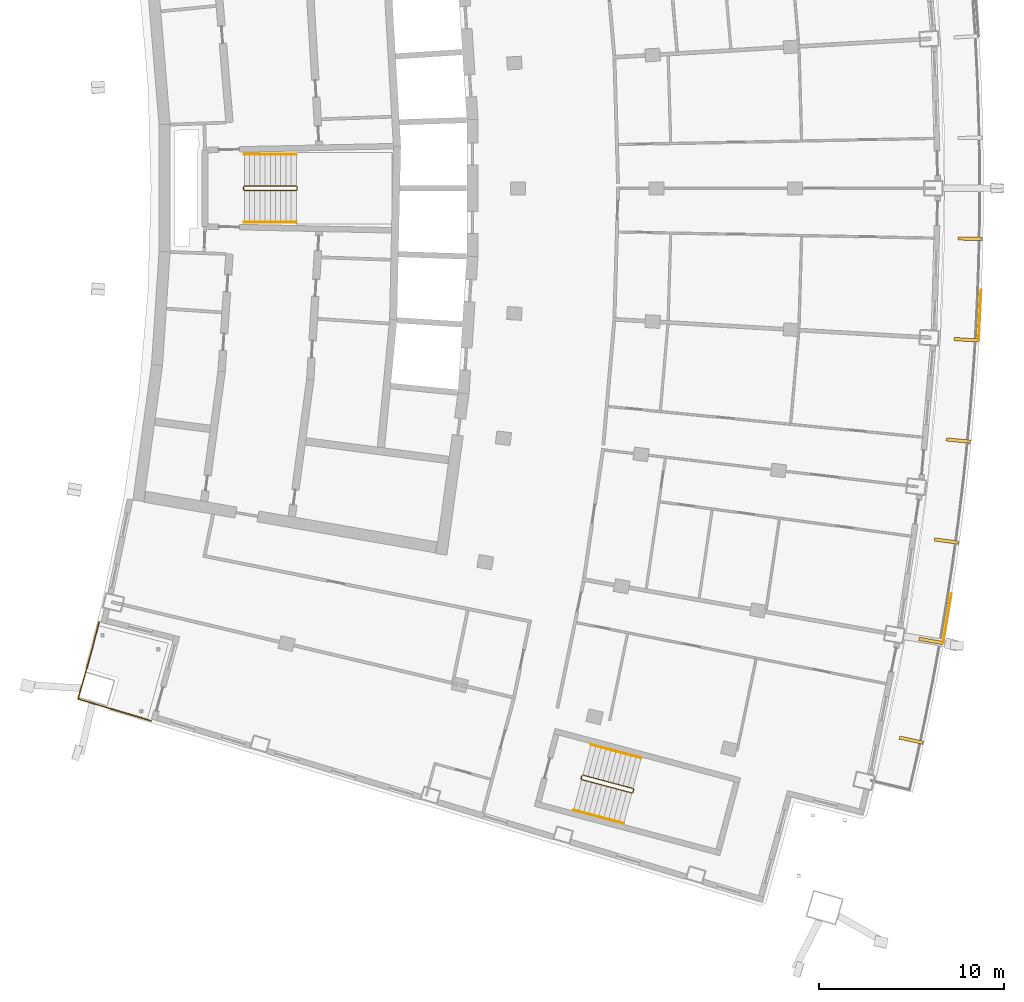
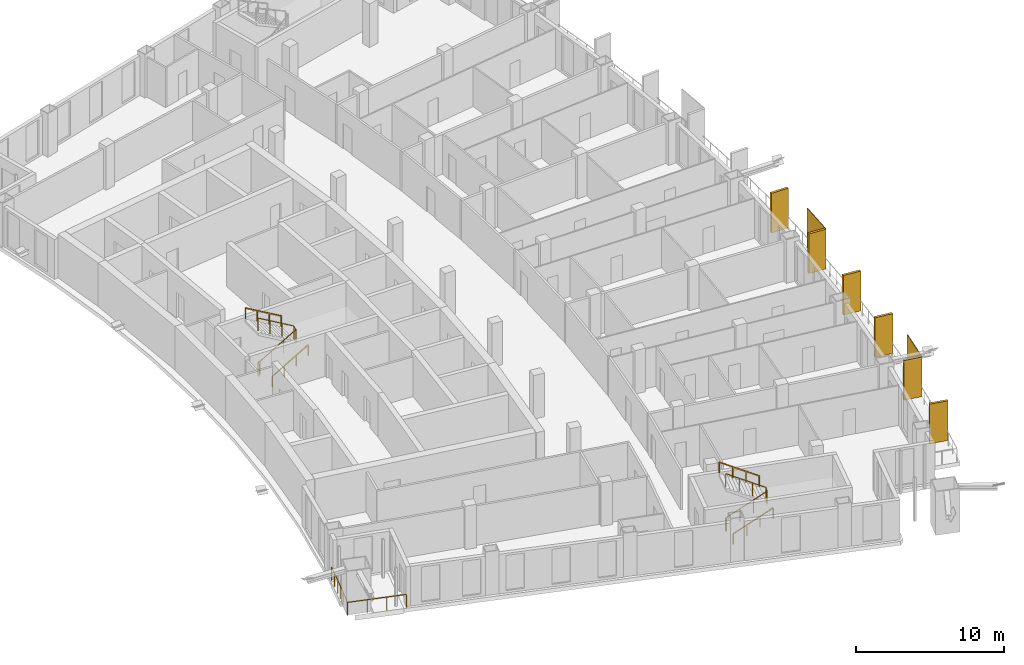
# One storey, part 19 of 21: 8 shading devices, 7 railings.
"""IFC4 building model written with IfcOpenShell, lengths in metres."""

from ifc_helpers import new_model, si_unit, direction, frame, origin, origin_with_axes, origin_2d, place, context, subcontext, project, spatial, rectangle, extrude, material, layer, layer_set, type_object, element, save


model = new_model("IFC4")

# Units and contexts
model_context = context("Model", 3, precision=1e-05, world=origin(), true_north=direction((0.0, 1.0)))
body_context = subcontext(model_context, "Body", "Model", "MODEL_VIEW")
ifc_project = project(units=[si_unit("LENGTHUNIT", "METRE"), si_unit("AREAUNIT", "SQUARE_METRE"), si_unit("VOLUMEUNIT", "CUBIC_METRE"), si_unit("PLANEANGLEUNIT", "RADIAN"), si_unit("MASSUNIT", "GRAM", prefix="KILO")], contexts=[model_context])

# Site, building, storey
site_placement = place(None, origin())
site = spatial("IfcSite", under=ifc_project, at=site_placement, CompositionType="ELEMENT")
building_placement = place(site_placement, origin())
building = spatial("IfcBuilding", under=site, at=building_placement, Name="Alderwake Tower", CompositionType="ELEMENT")
storey_placement = place(building_placement, frame((0.0, 0.0, 207.199951171875)))
storey = spatial("IfcBuildingStorey", under=building, at=storey_placement, Name="L51", CompositionType="ELEMENT", Elevation=207.199951171875)

# Railing
ifc_material_1 = material(Name="Stainless steel 316 rail and posts", Category="steel")
railing_type_1 = type_object("IfcRailingType", Name="Balcony guard 1100", PredefinedType="GUARDRAIL", material=ifc_material_1)
railing_1_placement = place(storey_placement, frame((13.210693359375, 37.612548828125, 0.0)))
element("IfcRailing", 1, at=railing_1_placement, inside=storey, type_object=railing_type_1, Name="Guard terrace RS", PredefinedType="GUARDRAIL", context=body_context, shape_type="SweptSolid", body=[
    extrude(rectangle(XDim=0.048095703125, YDim=0.048095703125, at=origin_2d()), frame((0.0, 0.0, 1.076171875), z_axis=(-0.251385381433, -0.967887075026, 0.0), x_axis=(0.967887075026, -0.251385381433, 0.0)), (0.0, 0.0, 1.0), 1.6015625),
    extrude(rectangle(XDim=0.048095703125, YDim=0.048095703125, at=origin_2d()), frame((-0.402587890625, -1.550048828125, 1.076171875), z_axis=(-0.266520638672, -0.963829211615, 0.0), x_axis=(0.963829211615, -0.266520638672, 0.0)), (0.0, 0.0, 1.0), 1.401611328125),
    extrude(rectangle(XDim=0.048095703125, YDim=0.048095703125, at=origin_2d()), frame((-0.776123046875, -2.90087890625, 1.076171875), z_axis=(-0.280093650878, -0.959972680204, 0.0), x_axis=(0.959972680204, -0.280093650878, 0.0)), (0.0, 0.0, 1.0), 1.30126953125),
    extrude(rectangle(XDim=0.048095703125, YDim=0.048095703125, at=origin_2d()), frame((-1.140625, -4.150146484375, 1.076171875), z_axis=(0.958066871889, -0.286544706789, 0.0), x_axis=(0.286544706789, 0.958066871889, 0.0)), (0.0, 0.0, 1.0), 4.099853515625),
    extrude(rectangle(XDim=0.0419921875, YDim=0.0419921875, at=origin_2d()), frame((0.0, 0.0, 0.0), z_axis=(0.0, 0.0, 1.0), x_axis=(-0.251385381433, -0.967887075026, 0.0)), (0.0, 0.0, 1.0), 1.052001953125),
    extrude(rectangle(XDim=0.0419921875, YDim=0.0419921875, at=origin_2d()), frame((-0.201171875, -0.77490234375, 0.0), z_axis=(0.0, 0.0, 1.0), x_axis=(-0.251385381433, -0.967887075026, 0.0)), (0.0, 0.0, 1.0), 1.052001953125),
    extrude(rectangle(XDim=0.0419921875, YDim=0.0419921875, at=origin_2d()), frame((-0.402587890625, -1.550048828125, 0.0), z_axis=(0.0, 0.0, 1.0), x_axis=(-0.266520638672, -0.963829211615, 0.0)), (0.0, 0.0, 1.0), 1.052001953125),
    extrude(rectangle(XDim=0.0419921875, YDim=0.0419921875, at=origin_2d()), frame((-0.58935546875, -2.2255859375, 0.0), z_axis=(0.0, 0.0, 1.0), x_axis=(-0.266520638672, -0.963829211615, 0.0)), (0.0, 0.0, 1.0), 1.052001953125),
    extrude(rectangle(XDim=0.0419921875, YDim=0.0419921875, at=origin_2d()), frame((-0.776123046875, -2.90087890625, 0.0), z_axis=(0.0, 0.0, 1.0), x_axis=(-0.280093650878, -0.959972680204, 0.0)), (0.0, 0.0, 1.0), 1.052001953125),
    extrude(rectangle(XDim=0.0419921875, YDim=0.0419921875, at=origin_2d()), frame((-1.140625, -4.150146484375, 0.0), z_axis=(0.0, 0.0, 1.0), x_axis=(0.958066871889, -0.286544706789, 0.0)), (0.0, 0.0, 1.0), 1.052001953125),
    extrude(rectangle(XDim=0.0419921875, YDim=0.0419921875, at=origin_2d()), frame((0.168701171875, -4.541748046875, 0.0), z_axis=(0.0, 0.0, 1.0), x_axis=(0.958066871889, -0.286544706789, 0.0)), (0.0, 0.0, 1.0), 1.052001953125),
    extrude(rectangle(XDim=0.0419921875, YDim=0.0419921875, at=origin_2d()), frame((1.47802734375, -4.933349609375, 0.0), z_axis=(0.0, 0.0, 1.0), x_axis=(0.958066871889, -0.286544706789, 0.0)), (0.0, 0.0, 1.0), 1.052001953125),
    extrude(rectangle(XDim=0.0419921875, YDim=0.0419921875, at=origin_2d()), frame((2.787353515625, -5.324951171875, 0.0), z_axis=(0.0, 0.0, 1.0), x_axis=(0.958066871889, -0.286544706789, 0.0)), (0.0, 0.0, 1.0), 1.052001953125),
])

# Shading devices
ifc_material_2 = material(Name="Bronze anodised aluminium", Category="aluminium")
ifc_layer_1 = layer(ifc_material_2, 0.179931640625)
ifc_layer_set_1 = layer_set([ifc_layer_1], Name="Facade fin 1300")
shading_device_type_1 = type_object("IfcShadingDeviceType", Name="Facade fin 1300", PredefinedType="USERDEFINED", material=ifc_layer_set_1)
for number, where, z_axis, x_axis, name in (
    (2, (57.0048828125, 31.239501953125, 0.0), (0.0, 0.0, 1.0), (0.977210363881, -0.212273184185, 0.0), "Fin"),
    (3, (58.05859375, 36.590087890625, 0.0), (0.0, 0.0, 1.0), (0.984726421654, -0.174108800747, 0.0), "Fin"),
    (4, (58.903564453125, 41.9775390625, 0.0), (0.0, 0.0, 1.0), (0.990752577235, -0.135680988728, 0.0), "Fin"),
    (5, (59.5380859375, 47.39404296875, 0.0), (0.0, 0.0, 1.0), (0.995279882363, -0.097046152751, 0.0), "Fin"),
    (6, (59.9619140625, 52.8310546875, 0.0), (0.0, 0.0, 1.0), (0.998301080988, -0.058266214038, 0.0), "Fin"),
    (7, (60.173583984375, 58.2802734375, 0.0), (0.0, 0.0, 1.0), (0.999811838809, -0.019398117887, 0.0), "Fin"),
):
    element("IfcShadingDevice", number, at=place(storey_placement, frame(where, z_axis=z_axis, x_axis=x_axis)), inside=storey, type_object=shading_device_type_1, Name=name, ObjectType="FIN", PredefinedType="USERDEFINED", context=body_context, shape_type="SweptSolid", body=[
        extrude(rectangle(XDim=1.300048828125, YDim=0.179931640625, at=origin_2d()), origin(), (0.0, 0.0, 1.0), 3.280029296875),
    ])
ifc_material_3 = material(Name="Perforated bronze anodised aluminium", Category="aluminium")
ifc_layer_2 = layer(ifc_material_3, 0.050048828125)
ifc_layer_set_2 = layer_set([ifc_layer_2], Name="Perforated screen panel")
shading_device_type_2 = type_object("IfcShadingDeviceType", Name="Perforated screen panel", PredefinedType="USERDEFINED", material=ifc_layer_set_2)
for number, where, z_axis, x_axis, name in (
    (8, (58.9482421875, 37.8203125, 0.0), (0.0, 0.0, 1.0), (0.986369013299, -0.164548380739, 0.0), "Screen panel"),
    (9, (60.701904296875, 54.156494140625, 0.0), (0.0, 0.0, 1.0), (0.998819231138, -0.048581308217, 0.0), "Screen panel"),
):
    element("IfcShadingDevice", number, at=place(storey_placement, frame(where, z_axis=z_axis, x_axis=x_axis)), inside=storey, type_object=shading_device_type_2, Name=name, ObjectType="SCREEN", PredefinedType="USERDEFINED", context=body_context, shape_type="SweptSolid", body=[
        extrude(rectangle(XDim=0.050048828125, YDim=2.73291015625, at=origin_2d()), origin(), (0.0, 0.0, 1.0), 3.280029296875),
    ])

# Railings
ifc_material_4 = material(Name="Stainless steel guard", Category="steel")
railing_type_2 = type_object("IfcRailingType", Name="Stair guard 1100", PredefinedType="GUARDRAIL", material=ifc_material_4)
railing_2_placement = place(storey_placement, frame((20.989990234375, 60.925048828125, 0.0)))
element("IfcRailing", 10, at=railing_2_placement, inside=storey, type_object=railing_type_2, Name="L51 ST-B stair guard 1", PredefinedType="GUARDRAIL", context=body_context, shape_type="SweptSolid", body=[
    extrude(rectangle(XDim=0.048095703125, YDim=0.048095703125, at=origin_2d()), frame((0.0, 0.0, 1.076171875), z_axis=(0.0, 1.0, 0.0), x_axis=(-1.0, 0.0, 0.0)), (0.0, 0.0, 1.0), 0.14990234375),
    extrude(rectangle(XDim=0.048095703125, YDim=0.048095703125, at=origin_2d()), frame((0.0, 0.14990234375, 1.076171875), z_axis=(0.190199549216, -0.759870394187, 0.621627795), x_axis=(0.970072785993, 0.242814311512, 0.0)), (0.0, 0.0, 1.0), 0.26318359375),
    extrude(rectangle(XDim=0.048095703125, YDim=0.048095703125, at=origin_2d()), frame((0.050048828125, -0.050048828125, 1.23974609375), z_axis=(0.863360870873, 0.0, 0.504586966384), x_axis=(0.0, 1.0, 0.0)), (0.0, 0.0, 1.0), 3.2431640625),
    extrude(rectangle(XDim=0.048095703125, YDim=0.048095703125, at=origin_2d()), frame((2.85009765625, -0.050048828125, 2.8759765625), z_axis=(0.705375805398, 0.708833529934, 0.0), x_axis=(-0.708833529934, 0.705375805398, 0.0)), (0.0, 0.0, 1.0), 0.070556640625),
    extrude(rectangle(XDim=0.048095703125, YDim=0.048095703125, at=origin_2d()), frame((2.89990234375, 0.0, 2.8759765625), z_axis=(0.0, 1.0, 0.0), x_axis=(-1.0, 0.0, 0.0)), (0.0, 0.0, 1.0), 0.14990234375),
    extrude(rectangle(XDim=0.048095703125, YDim=0.048095703125, at=origin_2d()), frame((2.89990234375, 0.14990234375, 2.8759765625), z_axis=(-0.279546231943, 0.280916556609, 0.91811752648), x_axis=(-0.708833529934, -0.705375805398, 0.0)), (0.0, 0.0, 1.0), 0.17822265625),
    extrude(rectangle(XDim=0.048095703125, YDim=0.048095703125, at=origin_2d()), frame((2.85009765625, 0.199951171875, 3.03955078125), z_axis=(-0.863360870873, 0.0, 0.504586966384), x_axis=(0.0, -1.0, 0.0)), (0.0, 0.0, 1.0), 3.2431640625),
    extrude(rectangle(XDim=0.0419921875, YDim=0.0419921875, at=origin_2d()), frame((0.0, 0.0, 0.0), z_axis=(0.0, 0.0, 1.0), x_axis=(0.0, 1.0, 0.0)), (0.0, 0.0, 1.0), 1.052001953125),
    extrude(rectangle(XDim=0.0419921875, YDim=0.0419921875, at=origin_2d()), frame((0.0, 0.14990234375, 0.0), z_axis=(0.0, 0.0, 1.0), x_axis=(0.242814311512, -0.970072785993, 0.0)), (0.0, 0.0, 1.0), 1.052001953125),
    extrude(rectangle(XDim=0.0419921875, YDim=0.0419921875, at=origin_2d()), frame((0.050048828125, -0.050048828125, 0.16357421875), z_axis=(0.0, 0.0, 1.0), x_axis=(1.0, 0.0, 0.0)), (0.0, 0.0, 1.0), 1.052001953125),
    extrude(rectangle(XDim=0.0419921875, YDim=0.0419921875, at=origin_2d()), frame((0.9833984375, -0.050048828125, 0.708984375), z_axis=(0.0, 0.0, 1.0), x_axis=(1.0, 0.0, 0.0)), (0.0, 0.0, 1.0), 1.052001953125),
    extrude(rectangle(XDim=0.0419921875, YDim=0.0419921875, at=origin_2d()), frame((1.916748046875, -0.050048828125, 1.254638671875), z_axis=(0.0, 0.0, 1.0), x_axis=(1.0, 0.0, 0.0)), (0.0, 0.0, 1.0), 1.052001953125),
    extrude(rectangle(XDim=0.0419921875, YDim=0.0419921875, at=origin_2d()), frame((2.85009765625, -0.050048828125, 1.800048828125), z_axis=(0.0, 0.0, 1.0), x_axis=(0.705375805398, 0.708833529934, 0.0)), (0.0, 0.0, 1.0), 1.052001953125),
    extrude(rectangle(XDim=0.0419921875, YDim=0.0419921875, at=origin_2d()), frame((2.89990234375, 0.0, 1.800048828125), z_axis=(0.0, 0.0, 1.0), x_axis=(0.0, 1.0, 0.0)), (0.0, 0.0, 1.0), 1.052001953125),
    extrude(rectangle(XDim=0.0419921875, YDim=0.0419921875, at=origin_2d()), frame((2.89990234375, 0.14990234375, 1.800048828125), z_axis=(0.0, 0.0, 1.0), x_axis=(-0.705375805398, 0.708833529934, 0.0)), (0.0, 0.0, 1.0), 1.052001953125),
    extrude(rectangle(XDim=0.0419921875, YDim=0.0419921875, at=origin_2d()), frame((2.85009765625, 0.199951171875, 1.963623046875), z_axis=(0.0, 0.0, 1.0), x_axis=(-1.0, 0.0, 0.0)), (0.0, 0.0, 1.0), 1.052001953125),
    extrude(rectangle(XDim=0.0419921875, YDim=0.0419921875, at=origin_2d()), frame((1.916748046875, 0.199951171875, 2.509033203125), z_axis=(0.0, 0.0, 1.0), x_axis=(-1.0, 0.0, 0.0)), (0.0, 0.0, 1.0), 1.052001953125),
    extrude(rectangle(XDim=0.0419921875, YDim=0.0419921875, at=origin_2d()), frame((0.9833984375, 0.199951171875, 3.0546875), z_axis=(0.0, 0.0, 1.0), x_axis=(-1.0, 0.0, 0.0)), (0.0, 0.0, 1.0), 1.052001953125),
    extrude(rectangle(XDim=0.0419921875, YDim=0.0419921875, at=origin_2d()), frame((0.050048828125, 0.199951171875, 3.60009765625), z_axis=(0.0, 0.0, 1.0), x_axis=(-1.0, 0.0, 0.0)), (0.0, 0.0, 1.0), 1.052001953125),
])
railing_3_placement = place(storey_placement, frame((39.1943359375, 29.17431640625, 0.0)))
element("IfcRailing", 11, at=railing_3_placement, inside=storey, type_object=railing_type_2, Name="L51 ST-C stair guard 1", PredefinedType="GUARDRAIL", context=body_context, shape_type="SweptSolid", body=[
    extrude(rectangle(XDim=0.048095703125, YDim=0.048095703125, at=origin_2d()), frame((0.0, 0.0, 1.076171875), z_axis=(0.257459803502, 0.966289009345, 0.0), x_axis=(-0.966289009345, 0.257459803502, 0.0)), (0.0, 0.0, 1.0), 0.14990234375),
    extrude(rectangle(XDim=0.048095703125, YDim=0.048095703125, at=origin_2d()), frame((0.03857421875, 0.144775390625, 1.076171875), z_axis=(-0.012062893862, -0.783160186125, 0.621702991355), x_axis=(0.999881397308, -0.015401016783, 0.0)), (0.0, 0.0, 1.0), 0.26318359375),
    extrude(rectangle(XDim=0.048095703125, YDim=0.048095703125, at=origin_2d()), frame((0.035400390625, -0.061279296875, 1.23974609375), z_axis=(0.834281824786, -0.222214197128, 0.504573768072), x_axis=(0.257380452725, 0.966310148221, 0.0)), (0.0, 0.0, 1.0), 3.2431640625),
    extrude(rectangle(XDim=0.048095703125, YDim=0.048095703125, at=origin_2d()), frame((2.7412109375, -0.781982421875, 2.8759765625), z_axis=(0.865031189262, 0.501718089772, 0.0), x_axis=(-0.501718089772, 0.865031189262, 0.0)), (0.0, 0.0, 1.0), 0.070556640625),
    extrude(rectangle(XDim=0.048095703125, YDim=0.048095703125, at=origin_2d()), frame((2.80224609375, -0.74658203125, 2.8759765625), z_axis=(0.257055032184, 0.966396766566, 0.0), x_axis=(-0.966396766566, 0.257055032184, 0.0)), (0.0, 0.0, 1.0), 0.150146484375),
    extrude(rectangle(XDim=0.048095703125, YDim=0.048095703125, at=origin_2d()), frame((2.8408203125, -0.6015625, 2.8759765625), z_axis=(-0.198625291617, 0.343827228937, 0.91778583023), x_axis=(-0.865898279276, -0.500220121494, 0.0)), (0.0, 0.0, 1.0), 0.17822265625),
    extrude(rectangle(XDim=0.048095703125, YDim=0.048095703125, at=origin_2d()), frame((2.805419921875, -0.540283203125, 3.03955078125), z_axis=(-0.834258940753, 0.22222815314, 0.504605457487), x_axis=(-0.257402139082, -0.966304371715, 0.0)), (0.0, 0.0, 1.0), 3.2431640625),
    extrude(rectangle(XDim=0.0419921875, YDim=0.0419921875, at=origin_2d()), frame((0.0, 0.0, 0.0), z_axis=(0.0, 0.0, 1.0), x_axis=(0.257459803502, 0.966289009345, 0.0)), (0.0, 0.0, 1.0), 1.052001953125),
    extrude(rectangle(XDim=0.0419921875, YDim=0.0419921875, at=origin_2d()), frame((0.03857421875, 0.144775390625, 0.0), z_axis=(0.0, 0.0, 1.0), x_axis=(-0.015401016783, -0.999881397308, 0.0)), (0.0, 0.0, 1.0), 1.052001953125),
    extrude(rectangle(XDim=0.0419921875, YDim=0.0419921875, at=origin_2d()), frame((0.035400390625, -0.061279296875, 0.16357421875), z_axis=(0.0, 0.0, 1.0), x_axis=(0.966310148221, -0.257380452725, 0.0)), (0.0, 0.0, 1.0), 1.052001953125),
    extrude(rectangle(XDim=0.0419921875, YDim=0.0419921875, at=origin_2d()), frame((0.937255859375, -0.301513671875, 0.708984375), z_axis=(0.0, 0.0, 1.0), x_axis=(0.966310148221, -0.257380452725, 0.0)), (0.0, 0.0, 1.0), 1.052001953125),
    extrude(rectangle(XDim=0.0419921875, YDim=0.0419921875, at=origin_2d()), frame((1.83935546875, -0.541748046875, 1.254638671875), z_axis=(0.0, 0.0, 1.0), x_axis=(0.966310148221, -0.257380452725, 0.0)), (0.0, 0.0, 1.0), 1.052001953125),
    extrude(rectangle(XDim=0.0419921875, YDim=0.0419921875, at=origin_2d()), frame((2.7412109375, -0.781982421875, 1.800048828125), z_axis=(0.0, 0.0, 1.0), x_axis=(0.865031189262, 0.501718089772, 0.0)), (0.0, 0.0, 1.0), 1.052001953125),
    extrude(rectangle(XDim=0.0419921875, YDim=0.0419921875, at=origin_2d()), frame((2.80224609375, -0.74658203125, 1.800048828125), z_axis=(0.0, 0.0, 1.0), x_axis=(0.257055032184, 0.966396766566, 0.0)), (0.0, 0.0, 1.0), 1.052001953125),
    extrude(rectangle(XDim=0.0419921875, YDim=0.0419921875, at=origin_2d()), frame((2.8408203125, -0.6015625, 1.800048828125), z_axis=(0.0, 0.0, 1.0), x_axis=(-0.500220121494, 0.865898279276, 0.0)), (0.0, 0.0, 1.0), 1.052001953125),
    extrude(rectangle(XDim=0.0419921875, YDim=0.0419921875, at=origin_2d()), frame((2.805419921875, -0.540283203125, 1.963623046875), z_axis=(0.0, 0.0, 1.0), x_axis=(-0.966304371715, 0.257402139082, 0.0)), (0.0, 0.0, 1.0), 1.052001953125),
    extrude(rectangle(XDim=0.0419921875, YDim=0.0419921875, at=origin_2d()), frame((1.903564453125, -0.300048828125, 2.509033203125), z_axis=(0.0, 0.0, 1.0), x_axis=(-0.966304371715, 0.257402139082, 0.0)), (0.0, 0.0, 1.0), 1.052001953125),
    extrude(rectangle(XDim=0.0419921875, YDim=0.0419921875, at=origin_2d()), frame((1.001708984375, -0.059814453125, 3.0546875), z_axis=(0.0, 0.0, 1.0), x_axis=(-0.966304371715, 0.257402139082, 0.0)), (0.0, 0.0, 1.0), 1.052001953125),
    extrude(rectangle(XDim=0.0419921875, YDim=0.0419921875, at=origin_2d()), frame((0.099853515625, 0.180419921875, 3.60009765625), z_axis=(0.0, 0.0, 1.0), x_axis=(-0.966304371715, 0.257402139082, 0.0)), (0.0, 0.0, 1.0), 1.052001953125),
])
ifc_material_5 = material(Name="Stainless steel handrail", Category="steel")
railing_type_3 = type_object("IfcRailingType", Name="Stair handrail 900", PredefinedType="HANDRAIL", material=ifc_material_5)
railing_4_placement = place(storey_placement, frame((21.0400390625, 59.175048828125, 0.16357421875)))
element("IfcRailing", 12, at=railing_4_placement, inside=storey, type_object=railing_type_3, Name="L51 ST-B stair handrail 1", PredefinedType="HANDRAIL", context=body_context, shape_type="SweptSolid", body=[
    extrude(rectangle(XDim=0.048095703125, YDim=0.048095703125, at=origin_2d()), frame((0.0, 0.0, 0.8759765625), z_axis=(0.863360870873, 0.0, 0.504586966384), x_axis=(0.0, 1.0, 0.0)), (0.0, 0.0, 1.0), 3.2431640625),
    extrude(rectangle(XDim=0.0419921875, YDim=0.0419921875, at=origin_2d()), origin_with_axes(), (0.0, 0.0, 1.0), 0.851806640625),
    extrude(rectangle(XDim=0.0419921875, YDim=0.0419921875, at=origin_2d()), frame((0.933349609375, 0.0, 0.54541015625), z_axis=(0.0, 0.0, 1.0), x_axis=(1.0, 0.0, 0.0)), (0.0, 0.0, 1.0), 0.851806640625),
    extrude(rectangle(XDim=0.0419921875, YDim=0.0419921875, at=origin_2d()), frame((1.86669921875, 0.0, 1.091064453125), z_axis=(0.0, 0.0, 1.0), x_axis=(1.0, 0.0, 0.0)), (0.0, 0.0, 1.0), 0.851806640625),
    extrude(rectangle(XDim=0.0419921875, YDim=0.0419921875, at=origin_2d()), frame((2.800048828125, 0.0, 1.636474609375), z_axis=(0.0, 0.0, 1.0), x_axis=(1.0, 0.0, 0.0)), (0.0, 0.0, 1.0), 0.851806640625),
])
railing_5_placement = place(storey_placement, frame((23.840087890625, 62.824951171875, 1.963623046875)))
element("IfcRailing", 13, at=railing_5_placement, inside=storey, type_object=railing_type_3, Name="L51 ST-B stair handrail 2", PredefinedType="HANDRAIL", context=body_context, shape_type="SweptSolid", body=[
    extrude(rectangle(XDim=0.048095703125, YDim=0.048095703125, at=origin_2d()), frame((0.0, 0.0, 0.8759765625), z_axis=(-0.863360870873, 0.0, 0.504586966384), x_axis=(0.0, -1.0, 0.0)), (0.0, 0.0, 1.0), 3.2431640625),
    extrude(rectangle(XDim=0.0419921875, YDim=0.0419921875, at=origin_2d()), frame((0.0, 0.0, 0.0), z_axis=(0.0, 0.0, 1.0), x_axis=(-1.0, 0.0, 0.0)), (0.0, 0.0, 1.0), 0.851806640625),
    extrude(rectangle(XDim=0.0419921875, YDim=0.0419921875, at=origin_2d()), frame((-0.933349609375, 0.0, 0.54541015625), z_axis=(0.0, 0.0, 1.0), x_axis=(-1.0, 0.0, 0.0)), (0.0, 0.0, 1.0), 0.851806640625),
    extrude(rectangle(XDim=0.0419921875, YDim=0.0419921875, at=origin_2d()), frame((-1.86669921875, 0.0, 1.091064453125), z_axis=(0.0, 0.0, 1.0), x_axis=(-1.0, 0.0, 0.0)), (0.0, 0.0, 1.0), 0.851806640625),
    extrude(rectangle(XDim=0.0419921875, YDim=0.0419921875, at=origin_2d()), frame((-2.800048828125, 0.0, 1.636474609375), z_axis=(0.0, 0.0, 1.0), x_axis=(-1.0, 0.0, 0.0)), (0.0, 0.0, 1.0), 0.851806640625),
])
railing_6_placement = place(storey_placement, frame((38.792236328125, 27.47021484375, 0.16357421875)))
element("IfcRailing", 14, at=railing_6_placement, inside=storey, type_object=railing_type_3, Name="L51 ST-C stair handrail 1", PredefinedType="HANDRAIL", context=body_context, shape_type="SweptSolid", body=[
    extrude(rectangle(XDim=0.048095703125, YDim=0.048095703125, at=origin_2d()), frame((0.0, 0.0, 0.8759765625), z_axis=(0.834272895437, -0.222156588561, 0.504613898043), x_axis=(0.25732071773, 0.966326056891, 0.0)), (0.0, 0.0, 1.0), 3.242919921875),
    extrude(rectangle(XDim=0.0419921875, YDim=0.0419921875, at=origin_2d()), frame((0.0, 0.0, 0.0), z_axis=(0.0, 0.0, 1.0), x_axis=(0.966326056891, -0.25732071773, 0.0)), (0.0, 0.0, 1.0), 0.851806640625),
    extrude(rectangle(XDim=0.0419921875, YDim=0.0419921875, at=origin_2d()), frame((0.90185546875, -0.240234375, 0.54541015625), z_axis=(0.0, 0.0, 1.0), x_axis=(0.966326056891, -0.25732071773, 0.0)), (0.0, 0.0, 1.0), 0.851806640625),
    extrude(rectangle(XDim=0.0419921875, YDim=0.0419921875, at=origin_2d()), frame((1.8037109375, -0.480224609375, 1.091064453125), z_axis=(0.0, 0.0, 1.0), x_axis=(0.966326056891, -0.25732071773, 0.0)), (0.0, 0.0, 1.0), 0.851806640625),
    extrude(rectangle(XDim=0.0419921875, YDim=0.0419921875, at=origin_2d()), frame((2.70556640625, -0.720458984375, 1.636474609375), z_axis=(0.0, 0.0, 1.0), x_axis=(0.966326056891, -0.25732071773, 0.0)), (0.0, 0.0, 1.0), 0.851806640625),
])
railing_7_placement = place(storey_placement, frame((42.437255859375, 30.276611328125, 1.963623046875)))
element("IfcRailing", 15, at=railing_7_placement, inside=storey, type_object=railing_type_3, Name="L51 ST-C stair handrail 2", PredefinedType="HANDRAIL", context=body_context, shape_type="SweptSolid", body=[
    extrude(rectangle(XDim=0.048095703125, YDim=0.048095703125, at=origin_2d()), frame((0.0, 0.0, 0.8759765625), z_axis=(-0.834258940753, 0.22222815314, 0.504605457487), x_axis=(-0.257402139082, -0.966304371715, 0.0)), (0.0, 0.0, 1.0), 3.2431640625),
    extrude(rectangle(XDim=0.0419921875, YDim=0.0419921875, at=origin_2d()), frame((0.0, 0.0, 0.0), z_axis=(0.0, 0.0, 1.0), x_axis=(-0.966304371715, 0.257402139082, 0.0)), (0.0, 0.0, 1.0), 0.851806640625),
    extrude(rectangle(XDim=0.0419921875, YDim=0.0419921875, at=origin_2d()), frame((-0.90185546875, 0.240234375, 0.54541015625), z_axis=(0.0, 0.0, 1.0), x_axis=(-0.966304371715, 0.257402139082, 0.0)), (0.0, 0.0, 1.0), 0.851806640625),
    extrude(rectangle(XDim=0.0419921875, YDim=0.0419921875, at=origin_2d()), frame((-1.8037109375, 0.48046875, 1.091064453125), z_axis=(0.0, 0.0, 1.0), x_axis=(-0.966304371715, 0.257402139082, 0.0)), (0.0, 0.0, 1.0), 0.851806640625),
    extrude(rectangle(XDim=0.0419921875, YDim=0.0419921875, at=origin_2d()), frame((-2.70556640625, 0.720703125, 1.636474609375), z_axis=(0.0, 0.0, 1.0), x_axis=(-0.966304371715, 0.257402139082, 0.0)), (0.0, 0.0, 1.0), 0.851806640625),
])

save(model, "model.ifc")
